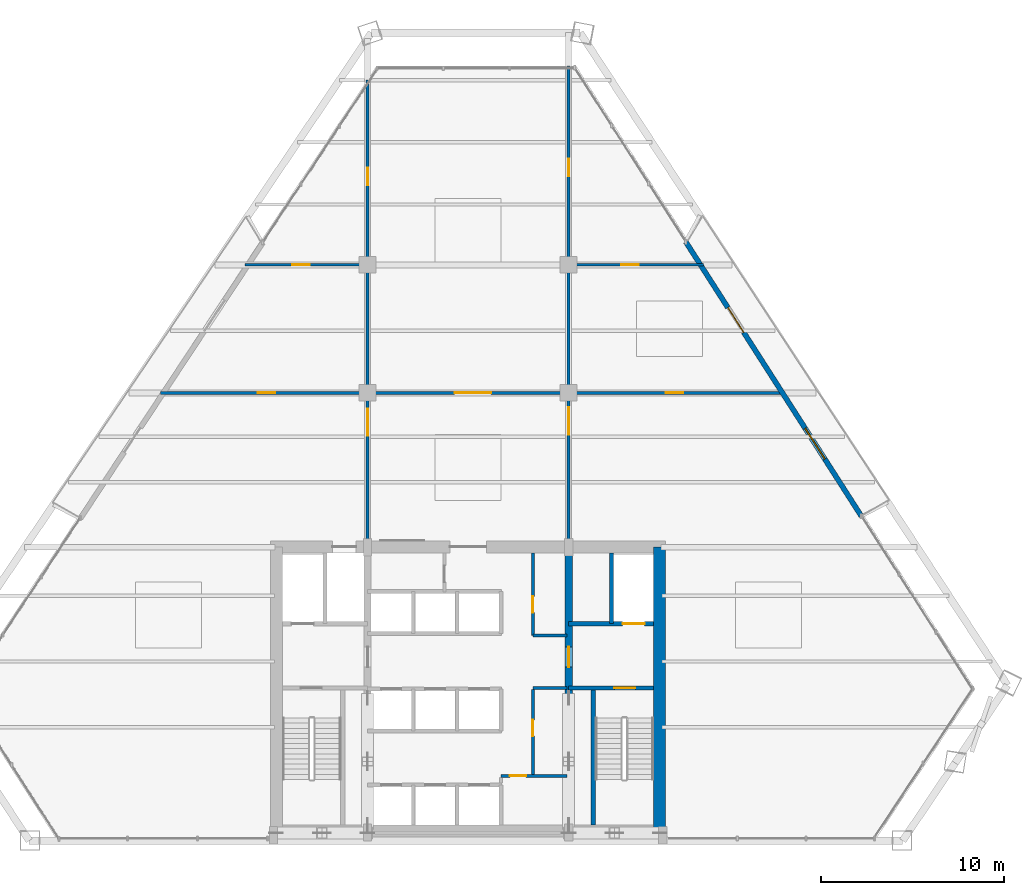
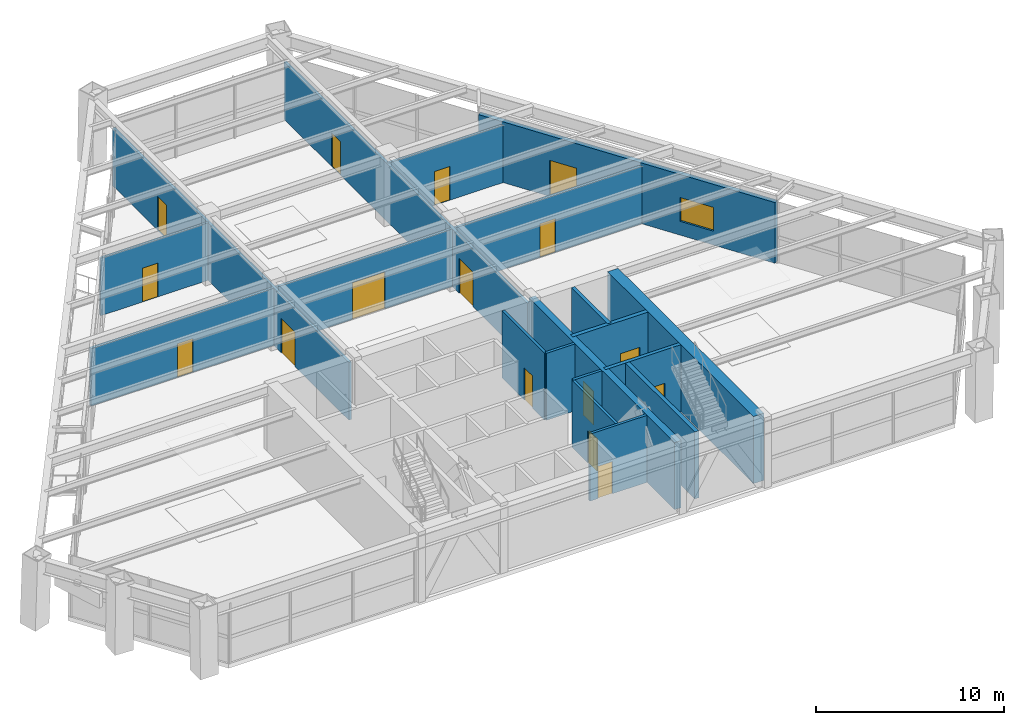
# One storey, part 9 of 12: 17 walls, 16 doors, 1 window, 17 openings.
"""IFC4 building model written with IfcOpenShell, lengths in metres."""

from ifc_helpers import new_model, si_unit, direction, frame, frame_2d, origin, place, context, subcontext, project, spatial, rectangle, extrude, source, transform, mapped, material, layer, layer_set, type_object, type_shapes, element, fill, save


model = new_model("IFC4")

# Units and contexts
model_context = context("Model", 3, precision=1e-05, world=origin(), true_north=direction((0.0, 1.0)))
body_context = subcontext(model_context, "Body", "Model", "MODEL_VIEW")
ifc_project = project(units=[si_unit("LENGTHUNIT", "METRE"), si_unit("AREAUNIT", "SQUARE_METRE"), si_unit("VOLUMEUNIT", "CUBIC_METRE"), si_unit("PLANEANGLEUNIT", "RADIAN"), si_unit("MASSUNIT", "GRAM", prefix="KILO")], contexts=[model_context])

# Site, building, storey
site_placement = place(None, origin())
site = spatial("IfcSite", under=ifc_project, at=site_placement, CompositionType="ELEMENT")
building_placement = place(site_placement, origin())
building = spatial("IfcBuilding", under=site, at=building_placement, Name="Varnakhor Terracotta Tower", CompositionType="ELEMENT")
storey_placement = place(building_placement, frame((0.0, 0.0, 121.0)))
storey = spatial("IfcBuildingStorey", under=building, at=storey_placement, Name="L30", CompositionType="ELEMENT", Elevation=121.0)

# Wall
ifc_material_1 = material(Name="Concrete C50/60", Category="concrete")
ifc_layer_1 = layer(ifc_material_1, 0.64990234375, Name="Concrete C50/60")
ifc_layer_set_1 = layer_set([ifc_layer_1], Name="Concrete C50/60")
wall_type_1 = type_object("IfcWallType", Name="WAL-CORE-650", PredefinedType="SHEAR", material=ifc_layer_set_1)
wall_1_placement = place(storey_placement, frame((10.47509765625, 0.52490234375, 0.0), z_axis=(0.0, 0.0, 1.0), x_axis=(0.0, 1.0, 0.0)))
element("IfcWall", 1, at=wall_1_placement, inside=storey, type_object=wall_type_1, Name="L30 East Core Shear Wall", PredefinedType="SHEAR", context=body_context, shape_type="SweptSolid", body=[
    extrude(rectangle(XDim=15.550048828125, YDim=0.64990234375, at=frame_2d((7.77490234375, 0.0))), origin(), (0.0, 0.0, 1.0), 4.3701171875),
])

# Wall, opening, door
ifc_layer_2 = layer(ifc_material_1, 0.39990234375, Name="Concrete C50/60")
ifc_layer_set_2 = layer_set([ifc_layer_2], Name="Concrete C50/60")
wall_type_2 = type_object("IfcWallType", Name="WAL-CORE-WEB-400", PredefinedType="SHEAR", material=ifc_layer_set_2)
wall_2_placement = place(storey_placement, frame((5.5, 0.52490234375, 0.0), z_axis=(0.0, 0.0, 1.0), x_axis=(0.0, 1.0, 0.0)))
wall_2 = element("IfcWall", 2, at=wall_2_placement, inside=storey, type_object=wall_type_2, Name="L30 East Core Web Shear Wall", PredefinedType="SHEAR", context=body_context, shape_type="SweptSolid", body=[
    extrude(rectangle(XDim=15.550048828125, YDim=0.39990234375, at=frame_2d((7.77490234375, 0.0))), origin(), (0.0, 0.0, 1.0), 4.3701171875),
])
opening_1_placement = place(wall_2_placement, frame((8.97509765625, 0.0, 0.0)))
opening_1 = element("IfcOpeningElement", 3, at=opening_1_placement, cuts=wall_2, Name="Opening DR-25", PredefinedType="OPENING", context=body_context, shape_type="SweptSolid", body=[
    extrude(rectangle(XDim=1.10009765625, YDim=2.199951171875, at=frame_2d((0.550048828125, 1.10009765625))), frame((0.0, 0.2099609375, 0.0), z_axis=(0.0, -1.0, 0.0), x_axis=(1.0, 0.0, 0.0)), (0.0, 0.0, 1.0), 0.419921875),
])
ifc_material_2 = material(Name="Firefighting Lobby Self-Closing Fire Door", Category="steel")
door_type_1 = type_object("IfcDoorType", Name="DR-FFL-1100X2200", OperationType="NOTDEFINED", PredefinedType="DOOR", material=ifc_material_2)
shared_shape_1 = source(origin(), body_context, "Body", "SweptSolid", [
    extrude(rectangle(XDim=1.10009765625, YDim=2.199951171875, at=frame_2d((0.550048828125, 1.10009765625))), frame((0.0, 0.02490234375, 0.0), z_axis=(0.0, -1.0, 0.0), x_axis=(1.0, 0.0, 0.0)), (0.0, 0.0, 1.0), 0.050048828125),
])
type_shapes(door_type_1, [shared_shape_1])
door_1_placement = place(opening_1_placement, origin())
door_1 = element("IfcDoor", 4, at=door_1_placement, inside=storey, type_object=door_type_1, Name="L30 East Firefighting Lobby Door", OperationType="SINGLE_SWING_RIGHT", OverallHeight=2.199951171875, OverallWidth=1.10009765625, PredefinedType="DOOR", context=body_context, shape_type="MappedRepresentation", body=[
    mapped(shared_shape_1, transform((0.0, 0.0, 0.0), scale=1.0)),
])
fill(opening_1, door_1)

# Wall, openings, door, window
ifc_material_3 = material(Name="Extruded Architectural Terracotta Assembly", Category="masonry")
ifc_layer_3 = layer(ifc_material_3, 0.280029296875, Name="Extruded Architectural Terracotta Assembly")
ifc_layer_set_3 = layer_set([ifc_layer_3], Name="Extruded Architectural Terracotta Assembly")
wall_type_3 = type_object("IfcWallType", Name="WAL-EXT-TERRACOTTA-280", PredefinedType="SOLIDWALL", material=ifc_layer_set_3)
wall_3_placement = place(storey_placement, frame((11.9072265625, 32.755615234375, 0.0), z_axis=(0.0, 0.0, 1.0), x_axis=(0.53916264221, -0.842201665425, 0.0)))
wall_3 = element("IfcWall", 5, at=wall_3_placement, inside=storey, type_object=wall_type_3, Name="L30 E Loggia Insulated Terracotta Wall", PredefinedType="SOLIDWALL", context=body_context, shape_type="SweptSolid", body=[
    extrude(rectangle(XDim=17.8046875, YDim=0.280029296875, at=frame_2d((8.90234375, 0.0))), origin(), (0.0, 0.0, 1.0), 3.949951171875),
])
opening_2_placement = place(wall_3_placement, frame((4.273193359375, 0.0, 0.0)))
opening_2 = element("IfcOpeningElement", 6, at=opening_2_placement, cuts=wall_3, Name="Opening DR-62", PredefinedType="OPENING", context=body_context, shape_type="SweptSolid", body=[
    extrude(rectangle(XDim=1.60009765625, YDim=2.35009765625, at=frame_2d((0.800048828125, 1.175048828125))), frame((0.0, 0.14990234375, 0.0), z_axis=(0.0, -1.0, 0.0), x_axis=(1.0, 0.0, 0.0)), (0.0, 0.0, 1.0), 0.300048828125),
])
opening_3_placement = place(wall_3_placement, frame((12.107177734375, 0.0, 0.89990234375)))
opening_3 = element("IfcOpeningElement", 7, at=opening_3_placement, cuts=wall_3, Name="Opening WN-58", PredefinedType="OPENING", context=body_context, shape_type="SweptSolid", body=[
    extrude(rectangle(XDim=2.0, YDim=1.550048828125, at=frame_2d((1.0, 0.77490234375))), frame((0.0, 0.14990234375, 0.0), z_axis=(0.0, -1.0, 0.0), x_axis=(1.0, 0.0, 0.0)), (0.0, 0.0, 1.0), 0.300048828125),
])
ifc_material_4 = material(Name="Thermally Broken Sliding Glass Loggia Door", Category="glass")
door_type_2 = type_object("IfcDoorType", Name="DR-EXT-LOGGIA-1600X2350", OperationType="NOTDEFINED", PredefinedType="DOOR", material=ifc_material_4)
shared_shape_2 = source(origin(), body_context, "Body", "SweptSolid", [
    extrude(rectangle(XDim=1.60009765625, YDim=2.35009765625, at=frame_2d((0.800048828125, 1.175048828125))), frame((0.0, 0.02490234375, 0.0), z_axis=(0.0, -1.0, 0.0), x_axis=(1.0, 0.0, 0.0)), (0.0, 0.0, 1.0), 0.050048828125),
])
type_shapes(door_type_2, [shared_shape_2])
door_2_placement = place(opening_2_placement, origin())
door_2 = element("IfcDoor", 8, at=door_2_placement, inside=storey, type_object=door_type_2, Name="L30 E Recessed Loggia Sliding Door", OperationType="SLIDING_TO_RIGHT", OverallHeight=2.35009765625, OverallWidth=1.60009765625, PredefinedType="DOOR", context=body_context, shape_type="MappedRepresentation", body=[
    mapped(shared_shape_2, transform((0.0, 0.0, 0.0), scale=1.0)),
])
fill(opening_2, door_2)
ifc_material_5 = material(Name="Solar-Control Low-E Insulated Glass Unit", Category="glass")
window_type = type_object("IfcWindowType", Name="WIN-SKY-2600X1600", PartitioningType="SINGLE_PANEL", PredefinedType="WINDOW", material=ifc_material_5)
shared_shape_3 = source(origin(), body_context, "Body", "SweptSolid", [
    extrude(rectangle(XDim=2.0, YDim=1.550048828125, at=frame_2d((1.0, 0.77490234375))), frame((0.0, 0.030029296875, 0.0), z_axis=(0.0, -1.0, 0.0), x_axis=(1.0, 0.0, 0.0)), (0.0, 0.0, 1.0), 0.06005859375),
])
type_shapes(window_type, [shared_shape_3])
window_placement = place(opening_3_placement, origin())
window = element("IfcWindow", 9, at=window_placement, inside=storey, type_object=window_type, Name="L30 E Facet Punched Window", OverallHeight=1.550048828125, OverallWidth=2.0, PartitioningType="SINGLE_PANEL", PredefinedType="WINDOW", context=body_context, shape_type="MappedRepresentation", body=[
    mapped(shared_shape_3, transform((0.0, 0.0, 0.0), scale=1.0)),
])
fill(opening_3, window)

# Wall, opening, door
ifc_material_6 = material(Name="Concrete C40/50", Category="concrete")
ifc_layer_4 = layer(ifc_material_6, 0.219970703125, Name="Concrete C40/50")
ifc_layer_set_4 = layer_set([ifc_layer_4], Name="Concrete C40/50")
wall_type_4 = type_object("IfcWallType", Name="WAL-FFLOBBY-220", PredefinedType="SOLIDWALL", material=ifc_layer_set_4)
wall_4_placement = place(storey_placement, frame((10.14990234375, 8.35009765625, 0.0), z_axis=(0.0, 0.0, 1.0), x_axis=(-1.0, 0.0, 0.0)))
wall_4 = element("IfcWall", 10, at=wall_4_placement, inside=storey, type_object=wall_type_4, Name="L30 East Firefighting Lobby Stair Wall", PredefinedType="SOLIDWALL", context=body_context, shape_type="SweptSolid", body=[
    extrude(rectangle(XDim=4.64990234375, YDim=0.219970703125, at=frame_2d((2.324951171875, 0.0))), origin(), (0.0, 0.0, 1.0), 4.3701171875),
])
opening_4_placement = place(wall_4_placement, frame((1.0, 0.0, 0.0)))
opening_4 = element("IfcOpeningElement", 11, at=opening_4_placement, cuts=wall_4, Name="Opening DR-34", PredefinedType="OPENING", context=body_context, shape_type="SweptSolid", body=[
    extrude(rectangle(XDim=1.14990234375, YDim=2.199951171875, at=frame_2d((0.574951171875, 1.10009765625))), frame((0.0, 0.1201171875, 0.0), z_axis=(0.0, -1.0, 0.0), x_axis=(1.0, 0.0, 0.0)), (0.0, 0.0, 1.0), 0.239990234375),
])
ifc_material_7 = material(Name="Self-Closing Smoke-Sealed Steel Fire Door", Category="steel")
door_type_3 = type_object("IfcDoorType", Name="DR-STAIR-1150X2200", OperationType="NOTDEFINED", PredefinedType="DOOR", material=ifc_material_7)
shared_shape_4 = source(origin(), body_context, "Body", "SweptSolid", [
    extrude(rectangle(XDim=1.14990234375, YDim=2.199951171875, at=frame_2d((0.574951171875, 1.10009765625))), frame((0.0, 0.02490234375, 0.0), z_axis=(0.0, -1.0, 0.0), x_axis=(1.0, 0.0, 0.0)), (0.0, 0.0, 1.0), 0.050048828125),
])
type_shapes(door_type_3, [shared_shape_4])
door_3_placement = place(opening_4_placement, origin())
door_3 = element("IfcDoor", 12, at=door_3_placement, inside=storey, type_object=door_type_3, Name="L30 Exit Stair ST-2 Fire Door", OperationType="SINGLE_SWING_LEFT", OverallHeight=2.199951171875, OverallWidth=1.14990234375, PredefinedType="DOOR", context=body_context, shape_type="MappedRepresentation", body=[
    mapped(shared_shape_4, transform((0.0, 0.0, 0.0), scale=1.0)),
])
fill(opening_4, door_3)

ifc_material_8 = material(Name="Acoustic Metal-Stud Partition", Category="gypsum")
ifc_layer_5 = layer(ifc_material_8, 0.139892578125, Name="Acoustic Metal-Stud Partition")
ifc_layer_set_5 = layer_set([ifc_layer_5], Name="Acoustic Metal-Stud Partition")
wall_type_5 = type_object("IfcWallType", Name="WAL-PART-140", PredefinedType="PARTITIONING", material=ifc_layer_set_5)
wall_5_placement = place(storey_placement, frame((-12.190673828125, 31.5, 0.0), z_axis=(0.0, 0.0, 1.0), x_axis=(1.0, 0.0, 0.0)))
wall_5 = element("IfcWall", 13, at=wall_5_placement, inside=storey, type_object=wall_type_5, Name="L30 West Wing Partition", PredefinedType="PARTITIONING", context=body_context, shape_type="SweptSolid", body=[
    extrude(rectangle(XDim=6.690673828125, YDim=0.139892578125, at=frame_2d((3.34521484375, 0.0))), origin(), (0.0, 0.0, 1.0), 3.74609375),
])
opening_5_placement = place(wall_5_placement, frame((2.56982421875, 0.0, 0.0)))
opening_5 = element("IfcOpeningElement", 14, at=opening_5_placement, cuts=wall_5, Name="Opening DR-94", PredefinedType="OPENING", context=body_context, shape_type="SweptSolid", body=[
    extrude(rectangle(XDim=0.949951171875, YDim=2.199951171875, at=frame_2d((0.47509765625, 1.10009765625))), frame((0.0, 0.080078125, 0.0), z_axis=(0.0, -1.0, 0.0), x_axis=(1.0, 0.0, 0.0)), (0.0, 0.0, 1.0), 0.159912109375),
])
ifc_material_9 = material(Name="Acoustic Glazed-Vision Timber Office Door", Category="wood")
door_type_4 = type_object("IfcDoorType", Name="DR-OFF-950X2200", OperationType="NOTDEFINED", PredefinedType="DOOR", material=ifc_material_9)
shared_shape_5 = source(origin(), body_context, "Body", "SweptSolid", [
    extrude(rectangle(XDim=0.949951171875, YDim=2.199951171875, at=frame_2d((0.47509765625, 1.10009765625))), frame((0.0, 0.02490234375, 0.0), z_axis=(0.0, -1.0, 0.0), x_axis=(1.0, 0.0, 0.0)), (0.0, 0.0, 1.0), 0.050048828125),
])
type_shapes(door_type_4, [shared_shape_5])
door_4_placement = place(opening_5_placement, origin())
door_4 = element("IfcDoor", 15, at=door_4_placement, inside=storey, type_object=door_type_4, Name="L30 Conference Suite Door", OperationType="SINGLE_SWING_LEFT", OverallHeight=2.199951171875, OverallWidth=0.949951171875, PredefinedType="DOOR", context=body_context, shape_type="MappedRepresentation", body=[
    mapped(shared_shape_5, transform((0.0, 0.0, 0.0), scale=1.0)),
])
fill(opening_5, door_4)

wall_6_placement = place(storey_placement, frame((5.5, 31.5, 0.0), z_axis=(0.0, 0.0, 1.0), x_axis=(1.0, 0.0, 0.0)))
wall_6 = element("IfcWall", 16, at=wall_6_placement, inside=storey, type_object=wall_type_5, Name="L30 East Wing Partition", PredefinedType="PARTITIONING", context=body_context, shape_type="SweptSolid", body=[
    extrude(rectangle(XDim=7.365478515625, YDim=0.139892578125, at=frame_2d((3.6826171875, 0.0))), origin(), (0.0, 0.0, 1.0), 3.74609375),
])
opening_6_placement = place(wall_6_placement, frame((2.873291015625, 0.0, 0.0)))
opening_6 = element("IfcOpeningElement", 17, at=opening_6_placement, cuts=wall_6, Name="Opening DR-94", PredefinedType="OPENING", context=body_context, shape_type="SweptSolid", body=[
    extrude(rectangle(XDim=0.949951171875, YDim=2.199951171875, at=frame_2d((0.47509765625, 1.10009765625))), frame((0.0, 0.080078125, 0.0), z_axis=(0.0, -1.0, 0.0), x_axis=(1.0, 0.0, 0.0)), (0.0, 0.0, 1.0), 0.159912109375),
])
door_5_placement = place(opening_6_placement, origin())
door_5 = element("IfcDoor", 18, at=door_5_placement, inside=storey, type_object=door_type_4, Name="L30 Sky Cafe Servery Door", OperationType="SINGLE_SWING_RIGHT", OverallHeight=2.199951171875, OverallWidth=0.949951171875, PredefinedType="DOOR", context=body_context, shape_type="MappedRepresentation", body=[
    mapped(shared_shape_5, transform((0.0, 0.0, 0.0), scale=1.0)),
])
fill(opening_6, door_5)

# Walls
ifc_layer_6 = layer(ifc_material_6, 0.219970703125, Name="Concrete C40/50")
ifc_layer_set_6 = layer_set([ifc_layer_6], Name="Concrete C40/50")
wall_type_6 = type_object("IfcWallType", Name="WAL-SHAFT-220", PredefinedType="SOLIDWALL", material=ifc_layer_set_6)
wall_7_placement = place(storey_placement, frame((7.840087890625, 11.8701171875, 0.0), z_axis=(0.0, 0.0, 1.0), x_axis=(0.0, 1.0, 0.0)))
element("IfcWall", 19, at=wall_7_placement, inside=storey, type_object=wall_type_6, Name="L30 Lift FFL-2 and Riser Divider Wall", PredefinedType="SOLIDWALL", context=body_context, shape_type="SweptSolid", body=[
    extrude(rectangle(XDim=3.8798828125, YDim=0.219970703125, at=frame_2d((1.93994140625, 0.0))), origin(), (0.0, 0.0, 1.0), 4.3701171875),
])
ifc_layer_7 = layer(ifc_material_6, 0.25, Name="Concrete C40/50")
ifc_layer_set_7 = layer_set([ifc_layer_7], Name="Concrete C40/50")
wall_type_7 = type_object("IfcWallType", Name="WAL-SHAFT-250", PredefinedType="SOLIDWALL", material=ifc_layer_set_7)
wall_8_placement = place(storey_placement, frame((6.85009765625, 0.85009765625, 0.0), z_axis=(0.0, 0.0, 1.0), x_axis=(0.0, 1.0, 0.0)))
element("IfcWall", 20, at=wall_8_placement, inside=storey, type_object=wall_type_7, Name="L30 Stair ST-2 Bearing Shaft Wall", PredefinedType="SOLIDWALL", context=body_context, shape_type="SweptSolid", body=[
    extrude(rectangle(XDim=7.5, YDim=0.25, at=frame_2d((3.75, 0.0))), origin(), (0.0, 0.0, 1.0), 4.3701171875),
])

# Wall, opening, door
wall_9_placement = place(storey_placement, frame((10.14990234375, 11.8701171875, 0.0), z_axis=(0.0, 0.0, 1.0), x_axis=(-1.0, 0.0, 0.0)))
wall_9 = element("IfcWall", 21, at=wall_9_placement, inside=storey, type_object=wall_type_7, Name="L30 Lift FFL-2 Shaft Front Wall", PredefinedType="SOLIDWALL", context=body_context, shape_type="SweptSolid", body=[
    extrude(rectangle(XDim=4.64990234375, YDim=0.25, at=frame_2d((2.324951171875, 0.0))), origin(), (0.0, 0.0, 1.0), 4.3701171875),
])
opening_7_placement = place(wall_9_placement, frame((0.5, 0.0, 0.0)))
opening_7 = element("IfcOpeningElement", 22, at=opening_7_placement, cuts=wall_9, Name="Opening LD-02", PredefinedType="OPENING", context=body_context, shape_type="SweptSolid", body=[
    extrude(rectangle(XDim=1.199951171875, YDim=2.25, at=frame_2d((0.60009765625, 1.125))), frame((0.0, 0.135009765625, 0.0), z_axis=(0.0, -1.0, 0.0), x_axis=(1.0, 0.0, 0.0)), (0.0, 0.0, 1.0), 0.27001953125),
])
ifc_material_10 = material(Name="Firefighting Stretcher Sliding Lift Landing Door", Category="steel")
door_type_5 = type_object("IfcDoorType", Name="LD-FFL-1200X2250", OperationType="NOTDEFINED", PredefinedType="DOOR", material=ifc_material_10)
shared_shape_6 = source(origin(), body_context, "Body", "SweptSolid", [
    extrude(rectangle(XDim=1.199951171875, YDim=2.25, at=frame_2d((0.60009765625, 1.125))), frame((0.0, 0.02490234375, 0.0), z_axis=(0.0, -1.0, 0.0), x_axis=(1.0, 0.0, 0.0)), (0.0, 0.0, 1.0), 0.050048828125),
])
type_shapes(door_type_5, [shared_shape_6])
door_6_placement = place(opening_7_placement, origin())
door_6 = element("IfcDoor", 23, at=door_6_placement, inside=storey, type_object=door_type_5, Name="L30 Firefighting Lift FFL-2 Landing Door", OperationType="SLIDING_TO_RIGHT", OverallHeight=2.25, OverallWidth=1.199951171875, PredefinedType="DOOR", context=body_context, shape_type="MappedRepresentation", body=[
    mapped(shared_shape_6, transform((0.0, 0.0, 0.0), scale=1.0)),
])
fill(opening_7, door_6)

ifc_material_11 = material(Name="Acoustic Fire-Rated Partition", Category="gypsum")
ifc_layer_8 = layer(ifc_material_11, 0.1650390625, Name="Acoustic Fire-Rated Partition")
ifc_layer_set_8 = layer_set([ifc_layer_8], Name="Acoustic Fire-Rated Partition")
wall_type_8 = type_object("IfcWallType", Name="WAL-TENANCY-165", PredefinedType="PARTITIONING", material=ifc_layer_set_8)
wall_10_placement = place(storey_placement, frame((3.5400390625, 3.632568359375, 0.0), z_axis=(0.0, 0.0, 1.0), x_axis=(0.0, 1.0, 0.0)))
wall_10 = element("IfcWall", 24, at=wall_10_placement, inside=storey, type_object=wall_type_8, Name="L30 Core Service Rated Wall", PredefinedType="PARTITIONING", context=body_context, shape_type="SweptSolid", body=[
    extrude(rectangle(XDim=4.625, YDim=0.1650390625, at=frame_2d((2.3125, 0.0))), origin(), (0.0, 0.0, 1.0), 4.362060546875),
])
opening_8_placement = place(wall_10_placement, frame((2.081298828125, 0.0, 0.0)))
opening_8 = element("IfcOpeningElement", 25, at=opening_8_placement, cuts=wall_10, Name="Opening DR-67", PredefinedType="OPENING", context=body_context, shape_type="SweptSolid", body=[
    extrude(rectangle(XDim=0.89990234375, YDim=2.10009765625, at=frame_2d((0.449951171875, 1.050048828125))), frame((0.0, 0.092529296875, 0.0), z_axis=(0.0, -1.0, 0.0), x_axis=(1.0, 0.0, 0.0)), (0.0, 0.0, 1.0), 0.18505859375),
])
ifc_material_12 = material(Name="Steel Service Riser Fire Door", Category="steel")
door_type_6 = type_object("IfcDoorType", Name="DR-RISER-900X2100", OperationType="NOTDEFINED", PredefinedType="DOOR", material=ifc_material_12)
shared_shape_7 = source(origin(), body_context, "Body", "SweptSolid", [
    extrude(rectangle(XDim=0.89990234375, YDim=2.10009765625, at=frame_2d((0.449951171875, 1.050048828125))), frame((0.0, 0.02490234375, 0.0), z_axis=(0.0, -1.0, 0.0), x_axis=(1.0, 0.0, 0.0)), (0.0, 0.0, 1.0), 0.050048828125),
])
type_shapes(door_type_6, [shared_shape_7])
door_7_placement = place(opening_8_placement, origin())
door_7 = element("IfcDoor", 26, at=door_7_placement, inside=storey, type_object=door_type_6, Name="L30 Core Accessible WC Door", OperationType="SINGLE_SWING_RIGHT", OverallHeight=2.10009765625, OverallWidth=0.89990234375, PredefinedType="DOOR", context=body_context, shape_type="MappedRepresentation", body=[
    mapped(shared_shape_7, transform((0.0, 0.0, 0.0), scale=1.0)),
])
fill(opening_8, door_7)

# Wall
wall_11_placement = place(storey_placement, frame((3.5400390625, 8.340087890625, 0.0), z_axis=(0.0, 0.0, 1.0), x_axis=(1.0, 0.0, 0.0)))
element("IfcWall", 27, at=wall_11_placement, inside=storey, type_object=wall_type_8, Name="L30 Accessible WC North Wall", PredefinedType="PARTITIONING", context=body_context, shape_type="SweptSolid", body=[
    extrude(rectangle(XDim=1.8798828125, YDim=0.1650390625, at=frame_2d((0.93994140625, 0.0))), origin(), (0.0, 0.0, 1.0), 4.362060546875),
])

# Wall, opening, door
wall_12_placement = place(storey_placement, frame((1.800048828125, 3.550048828125, 0.0), z_axis=(0.0, 0.0, 1.0), x_axis=(1.0, 0.0, 0.0)))
wall_12 = element("IfcWall", 28, at=wall_12_placement, inside=storey, type_object=wall_type_8, Name="L30 Core South Service Rated Wall", PredefinedType="PARTITIONING", context=body_context, shape_type="SweptSolid", body=[
    extrude(rectangle(XDim=3.619873046875, YDim=0.1650390625, at=frame_2d((1.81005859375, 0.0))), origin(), (0.0, 0.0, 1.0), 4.362060546875),
])
opening_9_placement = place(wall_12_placement, frame((0.47998046875, 0.0, 0.0)))
opening_9 = element("IfcOpeningElement", 29, at=opening_9_placement, cuts=wall_12, Name="Opening DR-67", PredefinedType="OPENING", context=body_context, shape_type="SweptSolid", body=[
    extrude(rectangle(XDim=0.89990234375, YDim=2.10009765625, at=frame_2d((0.449951171875, 1.050048828125))), frame((0.0, 0.092529296875, 0.0), z_axis=(0.0, -1.0, 0.0), x_axis=(1.0, 0.0, 0.0)), (0.0, 0.0, 1.0), 0.18505859375),
])
door_8_placement = place(opening_9_placement, origin())
door_8 = element("IfcDoor", 30, at=door_8_placement, inside=storey, type_object=door_type_6, Name="L30 Core IT Room Door", OperationType="SINGLE_SWING_LEFT", OverallHeight=2.10009765625, OverallWidth=0.89990234375, PredefinedType="DOOR", context=body_context, shape_type="MappedRepresentation", body=[
    mapped(shared_shape_7, transform((0.0, 0.0, 0.0), scale=1.0)),
])
fill(opening_9, door_8)

wall_13_placement = place(storey_placement, frame((3.5400390625, 11.219970703125, 0.0), z_axis=(0.0, 0.0, 1.0), x_axis=(0.0, 1.0, 0.0)))
wall_13 = element("IfcWall", 31, at=wall_13_placement, inside=storey, type_object=wall_type_8, Name="L30 Restroom Corridor Wall", PredefinedType="PARTITIONING", context=body_context, shape_type="SweptSolid", body=[
    extrude(rectangle(XDim=4.530029296875, YDim=0.1650390625, at=frame_2d((2.26513671875, 0.0))), origin(), (0.0, 0.0, 1.0), 4.362060546875),
])
opening_10_placement = place(wall_13_placement, frame((1.25, 0.0, 0.0)))
opening_10 = element("IfcOpeningElement", 32, at=opening_10_placement, cuts=wall_13, Name="Opening DR-67", PredefinedType="OPENING", context=body_context, shape_type="SweptSolid", body=[
    extrude(rectangle(XDim=0.89990234375, YDim=2.10009765625, at=frame_2d((0.449951171875, 1.050048828125))), frame((0.0, 0.092529296875, 0.0), z_axis=(0.0, -1.0, 0.0), x_axis=(1.0, 0.0, 0.0)), (0.0, 0.0, 1.0), 0.18505859375),
])
door_9_placement = place(opening_10_placement, origin())
door_9 = element("IfcDoor", 33, at=door_9_placement, inside=storey, type_object=door_type_6, Name="L30 Female WC Door", OperationType="SINGLE_SWING_RIGHT", OverallHeight=2.10009765625, OverallWidth=0.89990234375, PredefinedType="DOOR", context=body_context, shape_type="MappedRepresentation", body=[
    mapped(shared_shape_7, transform((0.0, 0.0, 0.0), scale=1.0)),
])
fill(opening_10, door_9)

# Wall
wall_14_placement = place(storey_placement, frame((3.5400390625, 11.219970703125, 0.0), z_axis=(0.0, 0.0, 1.0), x_axis=(1.0, 0.0, 0.0)))
element("IfcWall", 34, at=wall_14_placement, inside=storey, type_object=wall_type_8, Name="L30 Restroom South Wall", PredefinedType="PARTITIONING", context=body_context, shape_type="SweptSolid", body=[
    extrude(rectangle(XDim=1.8798828125, YDim=0.1650390625, at=frame_2d((0.93994140625, 0.0))), origin(), (0.0, 0.0, 1.0), 4.362060546875),
])

# Wall, openings, doors
wall_15_placement = place(storey_placement, frame((-16.82177734375, 24.5, 0.0), z_axis=(0.0, 0.0, 1.0), x_axis=(1.0, 0.0, 0.0)))
wall_15 = element("IfcWall", 35, at=wall_15_placement, inside=storey, type_object=wall_type_8, Name="L30 Sky Concourse North Wall", PredefinedType="PARTITIONING", context=body_context, shape_type="SweptSolid", body=[
    extrude(rectangle(XDim=34.16845703125, YDim=0.1650390625, at=frame_2d((17.084228515625, 0.0))), origin(), (0.0, 0.0, 1.0), 3.74609375),
])
opening_11_placement = place(wall_15_placement, frame((16.084228515625, 0.0, 0.0)))
opening_11 = element("IfcOpeningElement", 36, at=opening_11_placement, cuts=wall_15, Name="Opening DR-32", PredefinedType="OPENING", context=body_context, shape_type="SweptSolid", body=[
    extrude(rectangle(XDim=2.0, YDim=2.39990234375, at=frame_2d((1.0, 1.199951171875))), frame((0.0, 0.092529296875, 0.0), z_axis=(0.0, -1.0, 0.0), x_axis=(1.0, 0.0, 0.0)), (0.0, 0.0, 1.0), 0.18505859375),
])
opening_12_placement = place(wall_15_placement, frame((5.326171875, 0.0, 0.0)))
opening_12 = element("IfcOpeningElement", 37, at=opening_12_placement, cuts=wall_15, Name="Opening DR-94", PredefinedType="OPENING", context=body_context, shape_type="SweptSolid", body=[
    extrude(rectangle(XDim=0.949951171875, YDim=2.199951171875, at=frame_2d((0.47509765625, 1.10009765625))), frame((0.0, 0.092529296875, 0.0), z_axis=(0.0, -1.0, 0.0), x_axis=(1.0, 0.0, 0.0)), (0.0, 0.0, 1.0), 0.18505859375),
])
opening_13_placement = place(wall_15_placement, frame((27.637451171875, 0.0, 0.0)))
opening_13 = element("IfcOpeningElement", 38, at=opening_13_placement, cuts=wall_15, Name="Opening DR-94", PredefinedType="OPENING", context=body_context, shape_type="SweptSolid", body=[
    extrude(rectangle(XDim=0.949951171875, YDim=2.199951171875, at=frame_2d((0.47509765625, 1.10009765625))), frame((0.0, 0.092529296875, 0.0), z_axis=(0.0, -1.0, 0.0), x_axis=(1.0, 0.0, 0.0)), (0.0, 0.0, 1.0), 0.18505859375),
])
ifc_material_13 = material(Name="Acoustic Double Assembly Fire Door", Category="wood")
door_type_7 = type_object("IfcDoorType", Name="DR-HALL-2000X2400", OperationType="NOTDEFINED", PredefinedType="DOOR", material=ifc_material_13)
shared_shape_8 = source(origin(), body_context, "Body", "SweptSolid", [
    extrude(rectangle(XDim=2.0, YDim=2.39990234375, at=frame_2d((1.0, 1.199951171875))), frame((0.0, 0.02490234375, 0.0), z_axis=(0.0, -1.0, 0.0), x_axis=(1.0, 0.0, 0.0)), (0.0, 0.0, 1.0), 0.050048828125),
])
type_shapes(door_type_7, [shared_shape_8])
door_10_placement = place(opening_11_placement, origin())
door_10 = element("IfcDoor", 39, at=door_10_placement, inside=storey, type_object=door_type_7, Name="L30 Panorama Lounge Door", OperationType="DOUBLE_DOOR_SINGLE_SWING", OverallHeight=2.39990234375, OverallWidth=2.0, PredefinedType="DOOR", context=body_context, shape_type="MappedRepresentation", body=[
    mapped(shared_shape_8, transform((0.0, 0.0, 0.0), scale=1.0)),
])
fill(opening_11, door_10)
door_11_placement = place(opening_12_placement, origin())
door_11 = element("IfcDoor", 40, at=door_11_placement, inside=storey, type_object=door_type_4, Name="L30 Focus Office 4 Door", OperationType="SINGLE_SWING_LEFT", OverallHeight=2.199951171875, OverallWidth=0.949951171875, PredefinedType="DOOR", context=body_context, shape_type="MappedRepresentation", body=[
    mapped(shared_shape_5, transform((0.0, 0.0, 0.0), scale=1.0)),
])
fill(opening_12, door_11)
door_12_placement = place(opening_13_placement, origin())
door_12 = element("IfcDoor", 41, at=door_12_placement, inside=storey, type_object=door_type_4, Name="L30 Executive Lounge 5 Door", OperationType="SINGLE_SWING_RIGHT", OverallHeight=2.199951171875, OverallWidth=0.949951171875, PredefinedType="DOOR", context=body_context, shape_type="MappedRepresentation", body=[
    mapped(shared_shape_5, transform((0.0, 0.0, 0.0), scale=1.0)),
])
fill(opening_13, door_12)

wall_16_placement = place(storey_placement, frame((-5.5, 16.419921875, 0.0), z_axis=(0.0, 0.0, 1.0), x_axis=(0.0, 1.0, 0.0)))
wall_16 = element("IfcWall", 42, at=wall_16_placement, inside=storey, type_object=wall_type_8, Name="L30 West Sky Suite Wall", PredefinedType="PARTITIONING", context=body_context, shape_type="SweptSolid", body=[
    extrude(rectangle(XDim=25.193359375, YDim=0.1650390625, at=frame_2d((12.5966796875, 0.0))), origin(), (0.0, 0.0, 1.0), 3.74609375),
])
opening_14_placement = place(wall_16_placement, frame((5.71826171875, 0.0, 0.0)))
opening_14 = element("IfcOpeningElement", 43, at=opening_14_placement, cuts=wall_16, Name="Opening DR-30", PredefinedType="OPENING", context=body_context, shape_type="SweptSolid", body=[
    extrude(rectangle(XDim=1.5, YDim=2.25, at=frame_2d((0.75, 1.125))), frame((0.0, 0.092529296875, 0.0), z_axis=(0.0, -1.0, 0.0), x_axis=(1.0, 0.0, 0.0)), (0.0, 0.0, 1.0), 0.18505859375),
])
opening_15_placement = place(wall_16_placement, frame((19.42724609375, 0.0, 0.0)))
opening_15 = element("IfcOpeningElement", 44, at=opening_15_placement, cuts=wall_16, Name="Opening DR-94", PredefinedType="OPENING", context=body_context, shape_type="SweptSolid", body=[
    extrude(rectangle(XDim=0.949951171875, YDim=2.199951171875, at=frame_2d((0.47509765625, 1.10009765625))), frame((0.0, 0.092529296875, 0.0), z_axis=(0.0, -1.0, 0.0), x_axis=(1.0, 0.0, 0.0)), (0.0, 0.0, 1.0), 0.18505859375),
])
ifc_material_14 = material(Name="Double Acoustic Conference Room Door", Category="wood")
door_type_8 = type_object("IfcDoorType", Name="DR-MEET-1500X2250", OperationType="NOTDEFINED", PredefinedType="DOOR", material=ifc_material_14)
shared_shape_9 = source(origin(), body_context, "Body", "SweptSolid", [
    extrude(rectangle(XDim=1.5, YDim=2.25, at=frame_2d((0.75, 1.125))), frame((0.0, 0.02490234375, 0.0), z_axis=(0.0, -1.0, 0.0), x_axis=(1.0, 0.0, 0.0)), (0.0, 0.0, 1.0), 0.050048828125),
])
type_shapes(door_type_8, [shared_shape_9])
door_13_placement = place(opening_14_placement, origin())
door_13 = element("IfcDoor", 45, at=door_13_placement, inside=storey, type_object=door_type_8, Name="L30 West Sky Suite Door", OperationType="DOUBLE_DOOR_SINGLE_SWING", OverallHeight=2.25, OverallWidth=1.5, PredefinedType="DOOR", context=body_context, shape_type="MappedRepresentation", body=[
    mapped(shared_shape_9, transform((0.0, 0.0, 0.0), scale=1.0)),
])
fill(opening_14, door_13)
door_14_placement = place(opening_15_placement, origin())
door_14 = element("IfcDoor", 46, at=door_14_placement, inside=storey, type_object=door_type_4, Name="L30 Executive Office 30B Door", OperationType="SINGLE_SWING_LEFT", OverallHeight=2.199951171875, OverallWidth=0.949951171875, PredefinedType="DOOR", context=body_context, shape_type="MappedRepresentation", body=[
    mapped(shared_shape_5, transform((0.0, 0.0, 0.0), scale=1.0)),
])
fill(opening_15, door_14)

wall_17_placement = place(storey_placement, frame((5.5, 16.419921875, 0.0), z_axis=(0.0, 0.0, 1.0), x_axis=(0.0, 1.0, 0.0)))
wall_17 = element("IfcWall", 47, at=wall_17_placement, inside=storey, type_object=wall_type_8, Name="L30 East Sky Suite Wall", PredefinedType="PARTITIONING", context=body_context, shape_type="SweptSolid", body=[
    extrude(rectangle(XDim=25.943359375, YDim=0.1650390625, at=frame_2d((12.9716796875, 0.0))), origin(), (0.0, 0.0, 1.0), 3.74609375),
])
opening_16_placement = place(wall_17_placement, frame((5.780029296875, 0.0, 0.0)))
opening_16 = element("IfcOpeningElement", 48, at=opening_16_placement, cuts=wall_17, Name="Opening DR-30", PredefinedType="OPENING", context=body_context, shape_type="SweptSolid", body=[
    extrude(rectangle(XDim=1.5, YDim=2.25, at=frame_2d((0.75, 1.125))), frame((0.0, 0.092529296875, 0.0), z_axis=(0.0, -1.0, 0.0), x_axis=(1.0, 0.0, 0.0)), (0.0, 0.0, 1.0), 0.18505859375),
])
opening_17_placement = place(wall_17_placement, frame((19.929443359375, 0.0, 0.0)))
opening_17 = element("IfcOpeningElement", 49, at=opening_17_placement, cuts=wall_17, Name="Opening DR-94", PredefinedType="OPENING", context=body_context, shape_type="SweptSolid", body=[
    extrude(rectangle(XDim=0.949951171875, YDim=2.199951171875, at=frame_2d((0.47509765625, 1.10009765625))), frame((0.0, 0.092529296875, 0.0), z_axis=(0.0, -1.0, 0.0), x_axis=(1.0, 0.0, 0.0)), (0.0, 0.0, 1.0), 0.18505859375),
])
door_15_placement = place(opening_16_placement, origin())
door_15 = element("IfcDoor", 50, at=door_15_placement, inside=storey, type_object=door_type_8, Name="L30 East Sky Suite Door", OperationType="DOUBLE_DOOR_SINGLE_SWING", OverallHeight=2.25, OverallWidth=1.5, PredefinedType="DOOR", context=body_context, shape_type="MappedRepresentation", body=[
    mapped(shared_shape_9, transform((0.0, 0.0, 0.0), scale=1.0)),
])
fill(opening_16, door_15)
door_16_placement = place(opening_17_placement, origin())
door_16 = element("IfcDoor", 51, at=door_16_placement, inside=storey, type_object=door_type_4, Name="L30 Business Concierge Reception Door", OperationType="SINGLE_SWING_RIGHT", OverallHeight=2.199951171875, OverallWidth=0.949951171875, PredefinedType="DOOR", context=body_context, shape_type="MappedRepresentation", body=[
    mapped(shared_shape_5, transform((0.0, 0.0, 0.0), scale=1.0)),
])
fill(opening_17, door_16)

save(model, "model.ifc")
